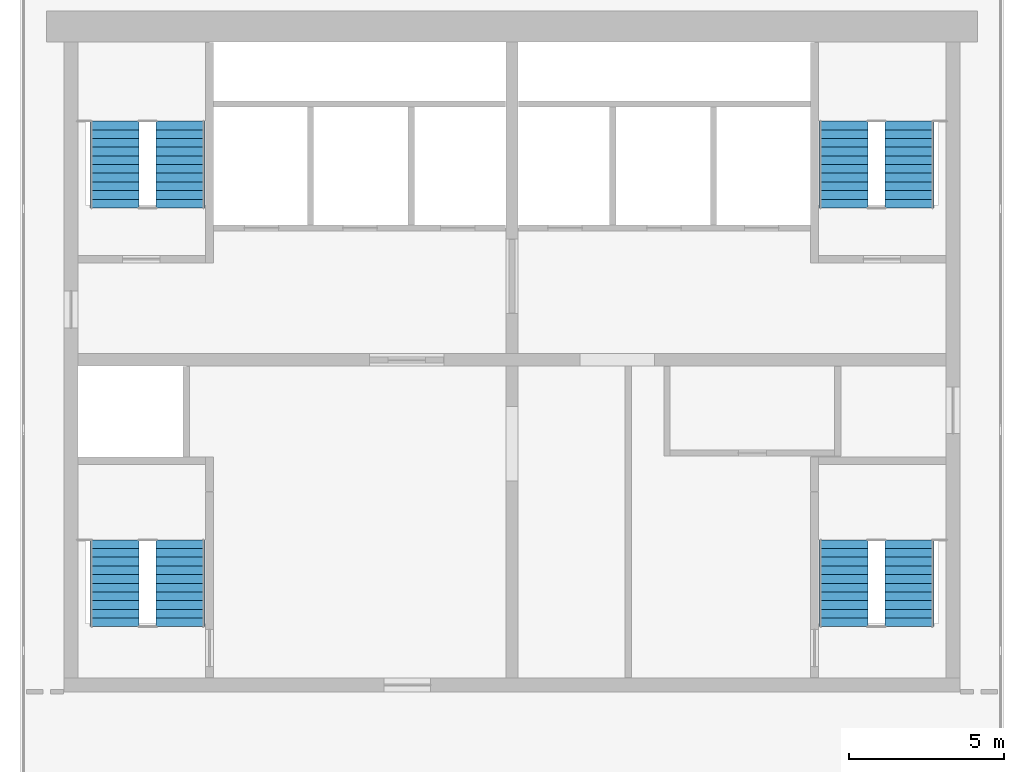
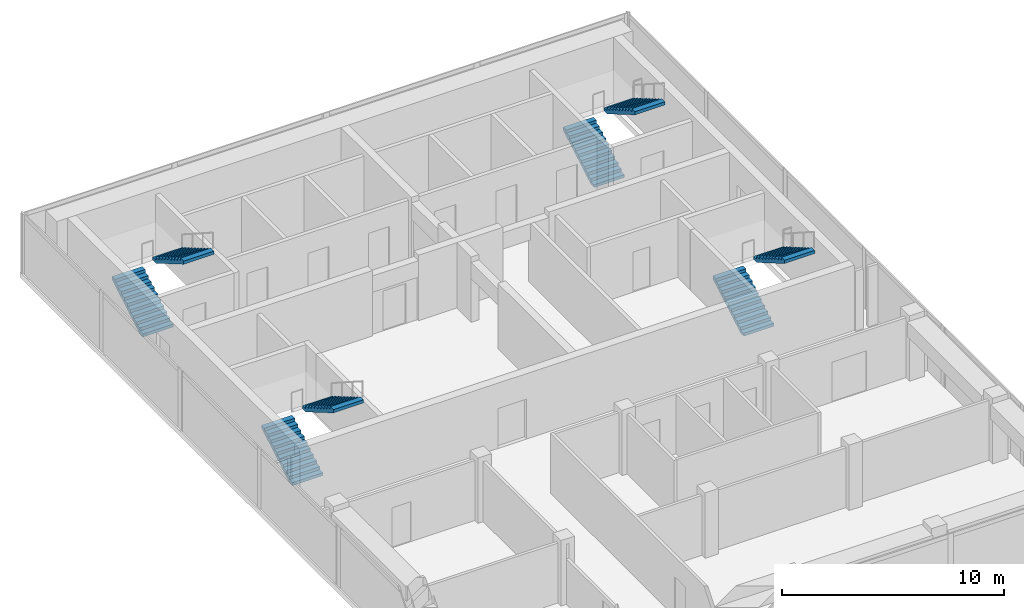
# One storey, part 4 of 5: 8 stair flights, 4 elements without a shape of their own.
"""IFC4 building model written with IfcOpenShell, lengths in metres."""

from ifc_helpers import new_model, si_unit, direction, frame, origin, place, context, subcontext, project, spatial, polyline, outline, extrude, material, type_object, element, aggregate, save


model = new_model("IFC4")

# Units and contexts
model_context = context("Model", 3, precision=1e-05, world=origin(), true_north=direction((0.0, 1.0)))
body_context = subcontext(model_context, "Body", "Model", "MODEL_VIEW")
ifc_project = project(units=[si_unit("LENGTHUNIT", "METRE"), si_unit("AREAUNIT", "SQUARE_METRE"), si_unit("VOLUMEUNIT", "CUBIC_METRE"), si_unit("PLANEANGLEUNIT", "RADIAN"), si_unit("MASSUNIT", "GRAM", prefix="KILO")], contexts=[model_context])

# Site, building, storey
site_placement = place(None, origin())
site = spatial("IfcSite", under=ifc_project, at=site_placement, CompositionType="ELEMENT")
building_placement = place(site_placement, origin())
building = spatial("IfcBuilding", under=site, at=building_placement, Name="Pilkhan Gate Tower", CompositionType="ELEMENT")
storey_placement = place(building_placement, frame((0.0, 0.0, 280.10009765625)))
storey = spatial("IfcBuildingStorey", under=building, at=storey_placement, Name="L73", CompositionType="ELEMENT", Elevation=280.10009765625)

# Stair, stair flights
ifc_material = material(Name="Concrete C40/50 precast", Category="concrete")
stair_type_1 = type_object("IfcStairType", Name="Stair ST1 164x280", PredefinedType="HALF_TURN_STAIR", material=ifc_material)
stair_1_placement = place(storey_placement, origin())
stair_1 = element("IfcStair", 1, at=stair_1_placement, inside=storey, type_object=stair_type_1, Name="Stair ST1 L73", PredefinedType="HALF_TURN_STAIR")
stair_flight_type_1 = type_object("IfcStairFlightType", Name="Stair flight ST1 164x280x11", PredefinedType="STRAIGHT", material=ifc_material)
stair_flight_1_placement = place(storey_placement, frame((85.68994140625, 73.89990234375, 0.0), z_axis=(0.0, 0.0, 1.0), x_axis=(0.0, 1.0, 0.0)))
stair_flight_1 = element("IfcStairFlight", 2, at=stair_flight_1_placement, type_object=stair_flight_type_1, Name="ST1 flight 1", NumberOfRisers=11, NumberOfTreads=10, PredefinedType="STRAIGHT", RiserHeight=0.163636364, TreadLength=0.28, context=body_context, shape_type="SweptSolid", body=[
    extrude(outline(polyline([(0.0, 0.0), (0.0, 0.16357421875), (0.280029296875, 0.16357421875), (0.280029296875, 0.327392578125), (0.56005859375, 0.327392578125), (0.56005859375, 0.490966796875), (0.840087890625, 0.490966796875), (0.840087890625, 0.654541015625), (1.1201171875, 0.654541015625), (1.1201171875, 0.818115234375), (1.39990234375, 0.818115234375), (1.39990234375, 0.98193359375), (1.679931640625, 0.98193359375), (1.679931640625, 1.1455078125), (1.9599609375, 1.1455078125), (1.9599609375, 1.30908203125), (2.239990234375, 1.30908203125), (2.239990234375, 1.47265625), (2.52001953125, 1.47265625), (2.52001953125, 1.636474609375), (2.800048828125, 1.636474609375), (2.800048828125, 1.800048828125), (2.800048828125, 1.462646484375), (0.297119140625, 0.0), (0.0, 0.0)])), frame((0.0, 0.7900390625, 0.0), z_axis=(0.0, -1.0, 0.0), x_axis=(1.0, 0.0, 0.0)), (0.0, 0.0, 1.0), 1.580078125),
])
stair_flight_2_placement = place(storey_placement, frame((87.81005859375, 76.699951171875, 1.7998046875), z_axis=(0.0, 0.0, 1.0), x_axis=(0.0, -1.0, 0.0)))
stair_flight_2 = element("IfcStairFlight", 3, at=stair_flight_2_placement, type_object=stair_flight_type_1, Name="ST1 flight 2", NumberOfRisers=11, NumberOfTreads=10, PredefinedType="STRAIGHT", RiserHeight=0.163636364, TreadLength=0.28, context=body_context, shape_type="SweptSolid", body=[
    extrude(outline(polyline([(0.0, 0.0), (0.0, 0.16357421875), (0.280029296875, 0.16357421875), (0.280029296875, 0.327392578125), (0.56005859375, 0.327392578125), (0.56005859375, 0.490966796875), (0.840087890625, 0.490966796875), (0.840087890625, 0.654541015625), (1.1201171875, 0.654541015625), (1.1201171875, 0.818115234375), (1.39990234375, 0.818115234375), (1.39990234375, 0.98193359375), (1.679931640625, 0.98193359375), (1.679931640625, 1.1455078125), (1.9599609375, 1.1455078125), (1.9599609375, 1.30908203125), (2.239990234375, 1.30908203125), (2.239990234375, 1.47265625), (2.52001953125, 1.47265625), (2.52001953125, 1.636474609375), (2.800048828125, 1.636474609375), (2.800048828125, 1.800048828125), (2.800048828125, 1.462646484375), (0.297119140625, 0.0), (0.0, 0.0)])), frame((0.0, 0.7900390625, 0.0), z_axis=(0.0, -1.0, 0.0), x_axis=(1.0, 0.0, 0.0)), (0.0, 0.0, 1.0), 1.580078125),
])
aggregate(stair_1, [stair_flight_1, stair_flight_2])

stair_type_2 = type_object("IfcStairType", Name="Stair ST2 164x280", PredefinedType="HALF_TURN_STAIR", material=ifc_material)
stair_2_placement = place(storey_placement, origin())
stair_2 = element("IfcStair", 4, at=stair_2_placement, inside=storey, type_object=stair_type_2, Name="Stair ST2 L73", PredefinedType="HALF_TURN_STAIR")
stair_flight_type_2 = type_object("IfcStairFlightType", Name="Stair flight ST2 164x280x11", PredefinedType="STRAIGHT", material=ifc_material)
stair_flight_3_placement = place(storey_placement, frame((62.18994140625, 73.89990234375, 0.0), z_axis=(0.0, 0.0, 1.0), x_axis=(0.0, 1.0, 0.0)))
stair_flight_3 = element("IfcStairFlight", 5, at=stair_flight_3_placement, type_object=stair_flight_type_2, Name="ST2 flight 1", NumberOfRisers=11, NumberOfTreads=10, PredefinedType="STRAIGHT", RiserHeight=0.163636364, TreadLength=0.28, context=body_context, shape_type="SweptSolid", body=[
    extrude(outline(polyline([(0.0, 0.0), (0.0, 0.16357421875), (0.280029296875, 0.16357421875), (0.280029296875, 0.327392578125), (0.56005859375, 0.327392578125), (0.56005859375, 0.490966796875), (0.840087890625, 0.490966796875), (0.840087890625, 0.654541015625), (1.1201171875, 0.654541015625), (1.1201171875, 0.818115234375), (1.39990234375, 0.818115234375), (1.39990234375, 0.98193359375), (1.679931640625, 0.98193359375), (1.679931640625, 1.1455078125), (1.9599609375, 1.1455078125), (1.9599609375, 1.30908203125), (2.239990234375, 1.30908203125), (2.239990234375, 1.47265625), (2.52001953125, 1.47265625), (2.52001953125, 1.636474609375), (2.800048828125, 1.636474609375), (2.800048828125, 1.800048828125), (2.800048828125, 1.462646484375), (0.297119140625, 0.0), (0.0, 0.0)])), frame((0.0, 0.7900390625, 0.0), z_axis=(0.0, -1.0, 0.0), x_axis=(1.0, 0.0, 0.0)), (0.0, 0.0, 1.0), 1.580078125),
])
stair_flight_4_placement = place(storey_placement, frame((64.31005859375, 76.699951171875, 1.7998046875), z_axis=(0.0, 0.0, 1.0), x_axis=(0.0, -1.0, 0.0)))
stair_flight_4 = element("IfcStairFlight", 6, at=stair_flight_4_placement, type_object=stair_flight_type_2, Name="ST2 flight 2", NumberOfRisers=11, NumberOfTreads=10, PredefinedType="STRAIGHT", RiserHeight=0.163636364, TreadLength=0.28, context=body_context, shape_type="SweptSolid", body=[
    extrude(outline(polyline([(0.0, 0.0), (0.0, 0.16357421875), (0.280029296875, 0.16357421875), (0.280029296875, 0.327392578125), (0.56005859375, 0.327392578125), (0.56005859375, 0.490966796875), (0.840087890625, 0.490966796875), (0.840087890625, 0.654541015625), (1.1201171875, 0.654541015625), (1.1201171875, 0.818115234375), (1.39990234375, 0.818115234375), (1.39990234375, 0.98193359375), (1.679931640625, 0.98193359375), (1.679931640625, 1.1455078125), (1.9599609375, 1.1455078125), (1.9599609375, 1.30908203125), (2.239990234375, 1.30908203125), (2.239990234375, 1.47265625), (2.52001953125, 1.47265625), (2.52001953125, 1.636474609375), (2.800048828125, 1.636474609375), (2.800048828125, 1.800048828125), (2.800048828125, 1.462646484375), (0.297119140625, 0.0), (0.0, 0.0)])), frame((0.0, 0.7900390625, 0.0), z_axis=(0.0, -1.0, 0.0), x_axis=(1.0, 0.0, 0.0)), (0.0, 0.0, 1.0), 1.580078125),
])
aggregate(stair_2, [stair_flight_3, stair_flight_4])

stair_type_3 = type_object("IfcStairType", Name="Stair ST3 164x280", PredefinedType="HALF_TURN_STAIR", material=ifc_material)
stair_3_placement = place(storey_placement, origin())
stair_3 = element("IfcStair", 7, at=stair_3_placement, inside=storey, type_object=stair_type_3, Name="Stair ST3 L73", PredefinedType="HALF_TURN_STAIR")
stair_flight_type_3 = type_object("IfcStairFlightType", Name="Stair flight ST3 164x280x11", PredefinedType="STRAIGHT", material=ifc_material)
stair_flight_5_placement = place(storey_placement, frame((62.18994140625, 87.39990234375, 0.0), z_axis=(0.0, 0.0, 1.0), x_axis=(0.0, 1.0, 0.0)))
stair_flight_5 = element("IfcStairFlight", 8, at=stair_flight_5_placement, type_object=stair_flight_type_3, Name="ST3 flight 1", NumberOfRisers=11, NumberOfTreads=10, PredefinedType="STRAIGHT", RiserHeight=0.163636364, TreadLength=0.28, context=body_context, shape_type="SweptSolid", body=[
    extrude(outline(polyline([(0.0, 0.0), (0.0, 0.16357421875), (0.280029296875, 0.16357421875), (0.280029296875, 0.327392578125), (0.56005859375, 0.327392578125), (0.56005859375, 0.490966796875), (0.840087890625, 0.490966796875), (0.840087890625, 0.654541015625), (1.1201171875, 0.654541015625), (1.1201171875, 0.818115234375), (1.39990234375, 0.818115234375), (1.39990234375, 0.98193359375), (1.679931640625, 0.98193359375), (1.679931640625, 1.1455078125), (1.9599609375, 1.1455078125), (1.9599609375, 1.30908203125), (2.239990234375, 1.30908203125), (2.239990234375, 1.47265625), (2.52001953125, 1.47265625), (2.52001953125, 1.636474609375), (2.800048828125, 1.636474609375), (2.800048828125, 1.800048828125), (2.800048828125, 1.462646484375), (0.297119140625, 0.0), (0.0, 0.0)])), frame((0.0, 0.7900390625, 0.0), z_axis=(0.0, -1.0, 0.0), x_axis=(1.0, 0.0, 0.0)), (0.0, 0.0, 1.0), 1.580078125),
])
stair_flight_6_placement = place(storey_placement, frame((64.31005859375, 90.199951171875, 1.7998046875), z_axis=(0.0, 0.0, 1.0), x_axis=(0.0, -1.0, 0.0)))
stair_flight_6 = element("IfcStairFlight", 9, at=stair_flight_6_placement, type_object=stair_flight_type_3, Name="ST3 flight 2", NumberOfRisers=11, NumberOfTreads=10, PredefinedType="STRAIGHT", RiserHeight=0.163636364, TreadLength=0.28, context=body_context, shape_type="SweptSolid", body=[
    extrude(outline(polyline([(0.0, 0.0), (0.0, 0.16357421875), (0.280029296875, 0.16357421875), (0.280029296875, 0.327392578125), (0.56005859375, 0.327392578125), (0.56005859375, 0.490966796875), (0.840087890625, 0.490966796875), (0.840087890625, 0.654541015625), (1.1201171875, 0.654541015625), (1.1201171875, 0.818115234375), (1.39990234375, 0.818115234375), (1.39990234375, 0.98193359375), (1.679931640625, 0.98193359375), (1.679931640625, 1.1455078125), (1.9599609375, 1.1455078125), (1.9599609375, 1.30908203125), (2.239990234375, 1.30908203125), (2.239990234375, 1.47265625), (2.52001953125, 1.47265625), (2.52001953125, 1.636474609375), (2.800048828125, 1.636474609375), (2.800048828125, 1.800048828125), (2.800048828125, 1.462646484375), (0.297119140625, 0.0), (0.0, 0.0)])), frame((0.0, 0.7900390625, 0.0), z_axis=(0.0, -1.0, 0.0), x_axis=(1.0, 0.0, 0.0)), (0.0, 0.0, 1.0), 1.580078125),
])
aggregate(stair_3, [stair_flight_5, stair_flight_6])

stair_type_4 = type_object("IfcStairType", Name="Stair ST4 164x280", PredefinedType="HALF_TURN_STAIR", material=ifc_material)
stair_4_placement = place(storey_placement, origin())
stair_4 = element("IfcStair", 10, at=stair_4_placement, inside=storey, type_object=stair_type_4, Name="Stair ST4 L73", PredefinedType="HALF_TURN_STAIR")
stair_flight_type_4 = type_object("IfcStairFlightType", Name="Stair flight ST4 164x280x11", PredefinedType="STRAIGHT", material=ifc_material)
stair_flight_7_placement = place(storey_placement, frame((85.68994140625, 87.39990234375, 0.0), z_axis=(0.0, 0.0, 1.0), x_axis=(0.0, 1.0, 0.0)))
stair_flight_7 = element("IfcStairFlight", 11, at=stair_flight_7_placement, type_object=stair_flight_type_4, Name="ST4 flight 1", NumberOfRisers=11, NumberOfTreads=10, PredefinedType="STRAIGHT", RiserHeight=0.163636364, TreadLength=0.28, context=body_context, shape_type="SweptSolid", body=[
    extrude(outline(polyline([(0.0, 0.0), (0.0, 0.16357421875), (0.280029296875, 0.16357421875), (0.280029296875, 0.327392578125), (0.56005859375, 0.327392578125), (0.56005859375, 0.490966796875), (0.840087890625, 0.490966796875), (0.840087890625, 0.654541015625), (1.1201171875, 0.654541015625), (1.1201171875, 0.818115234375), (1.39990234375, 0.818115234375), (1.39990234375, 0.98193359375), (1.679931640625, 0.98193359375), (1.679931640625, 1.1455078125), (1.9599609375, 1.1455078125), (1.9599609375, 1.30908203125), (2.239990234375, 1.30908203125), (2.239990234375, 1.47265625), (2.52001953125, 1.47265625), (2.52001953125, 1.636474609375), (2.800048828125, 1.636474609375), (2.800048828125, 1.800048828125), (2.800048828125, 1.462646484375), (0.297119140625, 0.0), (0.0, 0.0)])), frame((0.0, 0.7900390625, 0.0), z_axis=(0.0, -1.0, 0.0), x_axis=(1.0, 0.0, 0.0)), (0.0, 0.0, 1.0), 1.580078125),
])
stair_flight_8_placement = place(storey_placement, frame((87.81005859375, 90.199951171875, 1.7998046875), z_axis=(0.0, 0.0, 1.0), x_axis=(0.0, -1.0, 0.0)))
stair_flight_8 = element("IfcStairFlight", 12, at=stair_flight_8_placement, type_object=stair_flight_type_4, Name="ST4 flight 2", NumberOfRisers=11, NumberOfTreads=10, PredefinedType="STRAIGHT", RiserHeight=0.163636364, TreadLength=0.28, context=body_context, shape_type="SweptSolid", body=[
    extrude(outline(polyline([(0.0, 0.0), (0.0, 0.16357421875), (0.280029296875, 0.16357421875), (0.280029296875, 0.327392578125), (0.56005859375, 0.327392578125), (0.56005859375, 0.490966796875), (0.840087890625, 0.490966796875), (0.840087890625, 0.654541015625), (1.1201171875, 0.654541015625), (1.1201171875, 0.818115234375), (1.39990234375, 0.818115234375), (1.39990234375, 0.98193359375), (1.679931640625, 0.98193359375), (1.679931640625, 1.1455078125), (1.9599609375, 1.1455078125), (1.9599609375, 1.30908203125), (2.239990234375, 1.30908203125), (2.239990234375, 1.47265625), (2.52001953125, 1.47265625), (2.52001953125, 1.636474609375), (2.800048828125, 1.636474609375), (2.800048828125, 1.800048828125), (2.800048828125, 1.462646484375), (0.297119140625, 0.0), (0.0, 0.0)])), frame((0.0, 0.7900390625, 0.0), z_axis=(0.0, -1.0, 0.0), x_axis=(1.0, 0.0, 0.0)), (0.0, 0.0, 1.0), 1.580078125),
])
aggregate(stair_4, [stair_flight_7, stair_flight_8])

save(model, "model.ifc")
